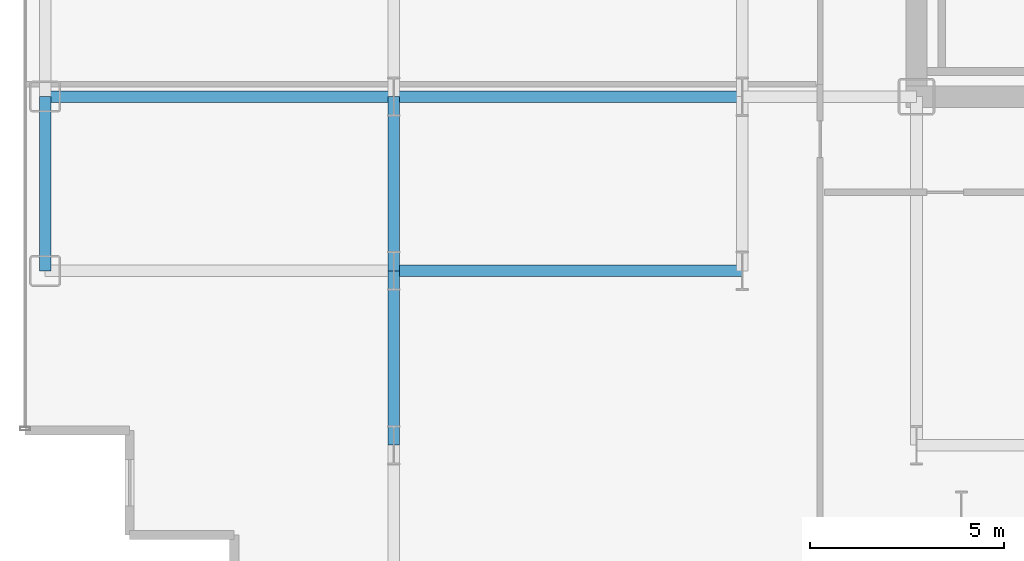
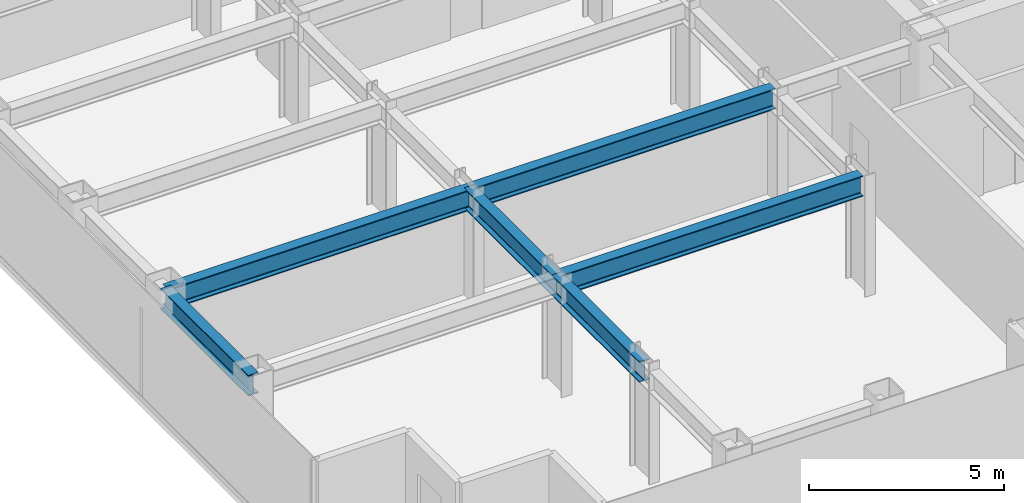
# One storey, part 3 of 26: 6 beams.
"""IFC4 building model written with IfcOpenShell, lengths in metres."""

from ifc_helpers import new_model, si_unit, direction, frame, origin, origin_2d, place, context, subcontext, project, spatial, i_section, extrude, source, transform, mapped, material, material_profile, profile_set, type_object, element, save


model = new_model("IFC4")

# Units and contexts
model_context = context("Model", 3, precision=1e-05, world=origin(), true_north=direction((0.0, 1.0)))
body_context = subcontext(model_context, "Body", "Model", "MODEL_VIEW")
ifc_project = project(units=[si_unit("LENGTHUNIT", "METRE"), si_unit("AREAUNIT", "SQUARE_METRE"), si_unit("VOLUMEUNIT", "CUBIC_METRE"), si_unit("PLANEANGLEUNIT", "RADIAN"), si_unit("MASSUNIT", "GRAM", prefix="KILO")], contexts=[model_context])

# Site, building, storey
site_placement = place(None, origin())
site = spatial("IfcSite", under=ifc_project, at=site_placement, CompositionType="ELEMENT")
building_placement = place(site_placement, origin())
building = spatial("IfcBuilding", under=site, at=building_placement, Name="Nefas-Gora Pilgrimage Tower", CompositionType="ELEMENT")
storey_placement = place(building_placement, frame((0.0, 0.0, 132.60009765625)))
storey = spatial("IfcBuildingStorey", under=building, at=storey_placement, Name="L32", CompositionType="ELEMENT", Elevation=132.60009765625)

# Beams
ifc_material = material(Name="Steel S355", Category="steel")
ifc_material_profile_1 = material_profile(ifc_material, i_section(OverallWidth=0.300048828125, OverallDepth=0.64990234375, WebThickness=0.01611328125, FlangeThickness=0.031005859375, FilletRadius=0.027099609375, at=origin_2d()), Name="HEB 650")
ifc_profile_set_1 = profile_set([ifc_material_profile_1], Name="Steel S355")
beam_type_1 = type_object("IfcBeamType", Name="BM-SPN-HEB500", PredefinedType="SPANDREL", material=ifc_profile_set_1)
shared_shape_1 = source(origin(), body_context, "Body", "SweptSolid", [
    extrude(i_section(OverallWidth=0.300048828125, OverallDepth=0.64990234375, WebThickness=0.01611328125, FlangeThickness=0.031005859375, FilletRadius=0.027099609375, at=origin_2d()), origin(), (0.0, 0.0, 1.0), 4.5),
])
beam_placement = place(storey_placement, frame((-33.75, -13.5, 3.224853515625), z_axis=(0.0, 1.0, 0.0), x_axis=(-1.0, 0.0, 0.0)))
element("IfcBeam", 1, at=beam_placement, inside=storey, type_object=beam_type_1, Name="L32 SP-02 beam", PredefinedType="SPANDREL", context=body_context, shape_type="MappedRepresentation", body=[
    mapped(shared_shape_1, transform((0.0, 0.0, 0.0), x_axis=(1.0, 0.0, 0.0), y_axis=(0.0, 1.0, 0.0), z_axis=(0.0, 0.0, 1.0), scale=1.0)),
])
ifc_material_profile_2 = material_profile(ifc_material, i_section(OverallWidth=0.300048828125, OverallDepth=0.64990234375, WebThickness=0.01611328125, FlangeThickness=0.031005859375, FilletRadius=0.027099609375, at=origin_2d()), Name="HEB 650")
ifc_profile_set_2 = profile_set([ifc_material_profile_2], Name="Steel S355")
beam_type_2 = type_object("IfcBeamType", Name="BM-GIR-HEB650", PredefinedType="BEAM", material=ifc_profile_set_2)
shared_shape_2 = source(origin(), body_context, "Body", "SweptSolid", [
    extrude(i_section(OverallWidth=0.300048828125, OverallDepth=0.64990234375, WebThickness=0.01611328125, FlangeThickness=0.031005859375, FilletRadius=0.027099609375, at=origin_2d()), origin(), (0.0, 0.0, 1.0), 9.0),
])
for number, where, z_axis, x_axis, name in (
    (2, (-33.75, -9.0, 3.224853515625), (1.0, 0.0, 0.0), (0.0, 1.0, 0.0), "L32 G-03 beam"),
    (3, (-24.75, -13.5, 3.224853515625), (1.0, 0.0, 0.0), (0.0, 1.0, 0.0), "L32 G-03 beam"),
    (4, (-24.75, -9.0, 3.224853515625), (1.0, 0.0, 0.0), (0.0, 1.0, 0.0), "L32 G-03 beam"),
):
    element("IfcBeam", number, at=place(storey_placement, frame(where, z_axis=z_axis, x_axis=x_axis)), inside=storey, type_object=beam_type_2, Name=name, PredefinedType="BEAM", context=body_context, shape_type="MappedRepresentation", body=[
        mapped(shared_shape_2, transform((0.0, 0.0, 0.0), x_axis=(1.0, 0.0, 0.0), y_axis=(0.0, 1.0, 0.0), z_axis=(0.0, 0.0, 1.0), scale=1.0)),
    ])
shared_shape_3 = source(origin(), body_context, "Body", "SweptSolid", [
    extrude(i_section(OverallWidth=0.300048828125, OverallDepth=0.64990234375, WebThickness=0.01611328125, FlangeThickness=0.031005859375, FilletRadius=0.027099609375, at=origin_2d()), origin(), (0.0, 0.0, 1.0), 4.5),
])
for number, where, z_axis, x_axis, name in (
    (5, (-24.75, -18.0, 3.224853515625), (0.0, 1.0, 0.0), (-1.0, 0.0, 0.0), "L32 G-03 beam"),
    (6, (-24.75, -13.5, 3.224853515625), (0.0, 1.0, 0.0), (-1.0, 0.0, 0.0), "L32 G-03 beam"),
):
    element("IfcBeam", number, at=place(storey_placement, frame(where, z_axis=z_axis, x_axis=x_axis)), inside=storey, type_object=beam_type_2, Name=name, PredefinedType="BEAM", context=body_context, shape_type="MappedRepresentation", body=[
        mapped(shared_shape_3, transform((0.0, 0.0, 0.0), x_axis=(1.0, 0.0, 0.0), y_axis=(0.0, 1.0, 0.0), z_axis=(0.0, 0.0, 1.0), scale=1.0)),
    ])

save(model, "model.ifc")
